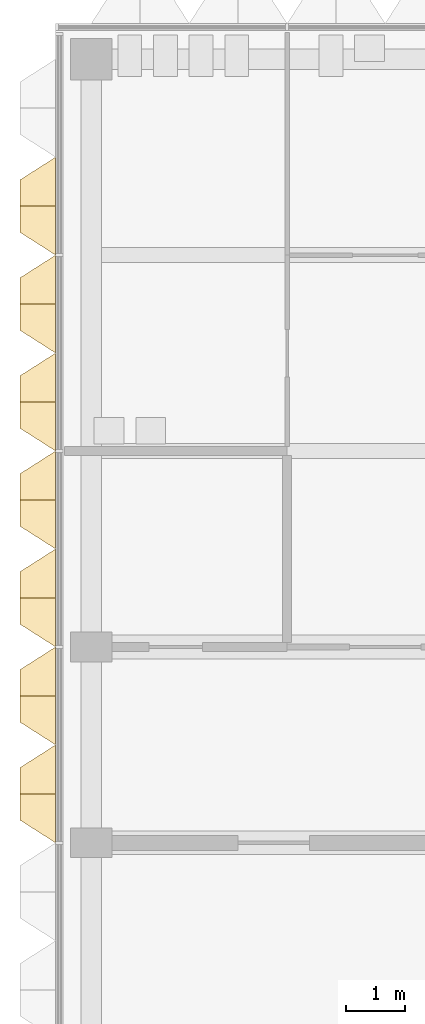
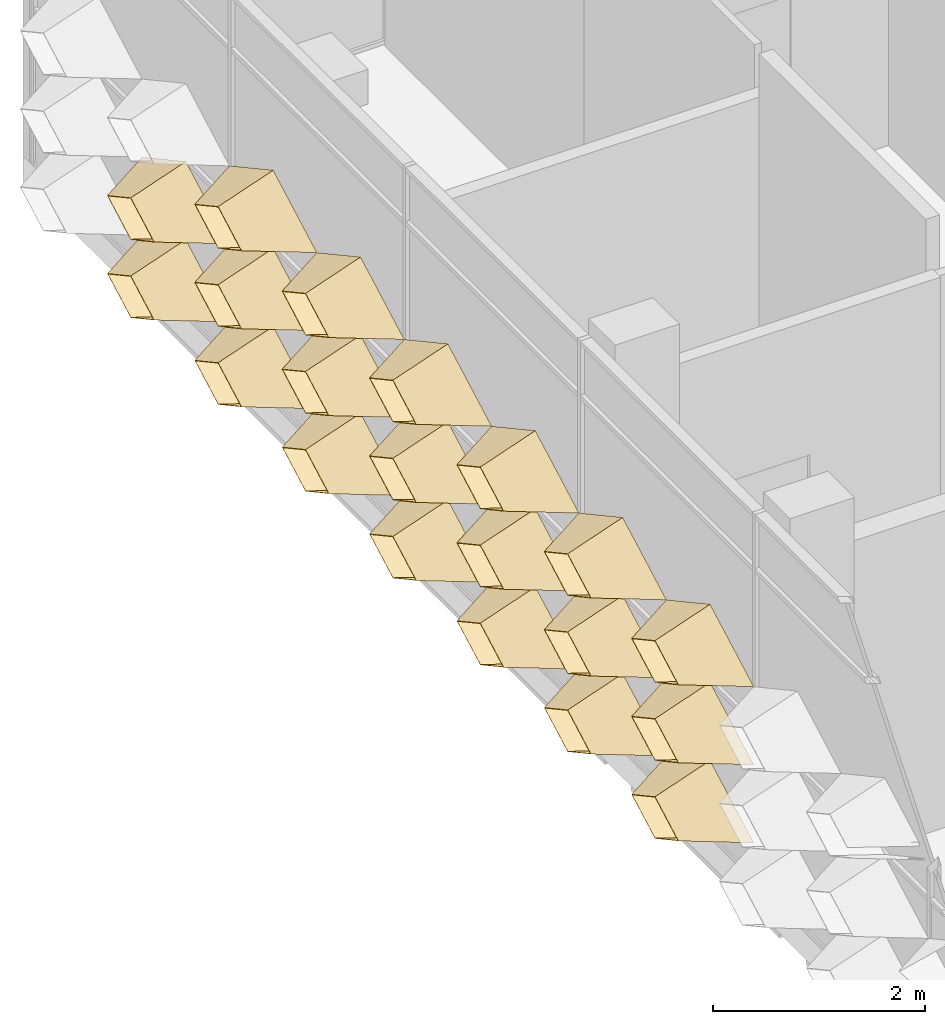
# One storey, part 16 of 21: 20 coverings.
"""IFC4 building model written with IfcOpenShell, lengths in metres."""

from ifc_helpers import new_model, entity, si_unit, direction, frame, origin, place, context, subcontext, project, spatial, material, layer, layer_set, type_object, element, save


model = new_model("IFC4")

# Units and contexts
model_context = context("Model", 3, precision=1e-05, world=origin(), true_north=direction((0.0, 1.0)))
body_context = subcontext(model_context, "Body", "Model", "MODEL_VIEW")
ifc_project = project(units=[si_unit("LENGTHUNIT", "METRE"), si_unit("AREAUNIT", "SQUARE_METRE"), si_unit("VOLUMEUNIT", "CUBIC_METRE"), si_unit("PLANEANGLEUNIT", "RADIAN"), si_unit("MASSUNIT", "GRAM", prefix="KILO")], contexts=[model_context])

# Site, building, storey
site_placement = place(None, origin())
site = spatial("IfcSite", under=ifc_project, at=site_placement, CompositionType="ELEMENT")
building_placement = place(site_placement, origin())
building = spatial("IfcBuilding", under=site, at=building_placement, Name="Lantern Court Research Institute", CompositionType="ELEMENT")
storey_placement = place(building_placement, frame((0.0, 0.0, 41.39990234375)))
storey = spatial("IfcBuildingStorey", under=building, at=storey_placement, Name="L09", CompositionType="ELEMENT", Elevation=41.39990234375)

# Coverings
ifc_material = material(Name="Anodised aluminium", Category="aluminium")
ifc_layer = layer(ifc_material, 0.01611328125)
ifc_layer_set = layer_set([ifc_layer], Name="Anodised aluminium")
covering_type = type_object("IfcCoveringType", Name="Fin cassette 1650 x 900 x 600 aluminium", PredefinedType="CLADDING", material=ifc_layer_set)
covering_1_placement = place(storey_placement, frame((52.199951171875, 10.72509765625, 0.4501953125), z_axis=(-1.0, 0.0, 0.0), x_axis=(0.0, -1.0, 0.0)))
cartesian_point_1 = entity("IfcCartesianPoint", [0.824951171875, 0.0])
cartesian_point_2 = entity("IfcCartesianPoint", [0.79150390625, 0.0])
cartesian_point_3 = entity("IfcCartesianPoint", [0.44189453125, 0.0])
cartesian_point_4 = entity("IfcCartesianPoint", [0.43359375, 0.0])
element("IfcCovering", 1, at=covering_1_placement, inside=storey, type_object=covering_type, Name="Fin cassette V5W-L09 1.7", PredefinedType="CLADDING", context=body_context, shape_type="SweptSolid", body=[
    entity("IfcExtrudedAreaSolidTapered", entity("IfcArbitraryProfileDefWithVoids", "AREA", None, entity("IfcPolyline", [cartesian_point_1, entity("IfcCartesianPoint", [0.0, 0.449951171875]), entity("IfcCartesianPoint", [-0.824951171875, 0.0]), entity("IfcCartesianPoint", [0.0, -0.449951171875]), cartesian_point_1]), [entity("IfcPolyline", [cartesian_point_2, entity("IfcCartesianPoint", [0.0, 0.431884765625]), entity("IfcCartesianPoint", [-0.79150390625, 0.0]), entity("IfcCartesianPoint", [0.0, -0.431884765625]), cartesian_point_2])]), entity("IfcAxis2Placement3D", entity("IfcCartesianPoint", [0.0, 0.0, 0.0])), entity("IfcDirection", [0.0, 0.0, 1.0]), 0.60009765625, entity("IfcArbitraryProfileDefWithVoids", "AREA", None, entity("IfcPolyline", [cartesian_point_3, entity("IfcCartesianPoint", [0.0, 0.240966796875]), entity("IfcCartesianPoint", [-0.44189453125, 0.0]), entity("IfcCartesianPoint", [0.0, -0.240966796875]), cartesian_point_3]), [entity("IfcPolyline", [cartesian_point_4, entity("IfcCartesianPoint", [0.0, 0.236572265625]), entity("IfcCartesianPoint", [-0.43359375, 0.0]), entity("IfcCartesianPoint", [0.0, -0.236572265625]), cartesian_point_4])])),
])
covering_2_placement = place(storey_placement, frame((52.199951171875, 12.375, 0.4501953125), z_axis=(-1.0, 0.0, 0.0), x_axis=(0.0, -1.0, 0.0)))
cartesian_point_5 = entity("IfcCartesianPoint", [0.824951171875, 0.0])
cartesian_point_6 = entity("IfcCartesianPoint", [0.79150390625, 0.0])
cartesian_point_7 = entity("IfcCartesianPoint", [0.44189453125, 0.0])
cartesian_point_8 = entity("IfcCartesianPoint", [0.43359375, 0.0])
element("IfcCovering", 2, at=covering_2_placement, inside=storey, type_object=covering_type, Name="Fin cassette V5W-L09 1.8", PredefinedType="CLADDING", context=body_context, shape_type="SweptSolid", body=[
    entity("IfcExtrudedAreaSolidTapered", entity("IfcArbitraryProfileDefWithVoids", "AREA", None, entity("IfcPolyline", [cartesian_point_5, entity("IfcCartesianPoint", [0.0, 0.449951171875]), entity("IfcCartesianPoint", [-0.824951171875, 0.0]), entity("IfcCartesianPoint", [0.0, -0.449951171875]), cartesian_point_5]), [entity("IfcPolyline", [cartesian_point_6, entity("IfcCartesianPoint", [0.0, 0.431884765625]), entity("IfcCartesianPoint", [-0.79150390625, 0.0]), entity("IfcCartesianPoint", [0.0, -0.431884765625]), cartesian_point_6])]), entity("IfcAxis2Placement3D", entity("IfcCartesianPoint", [0.0, 0.0, 0.0])), entity("IfcDirection", [0.0, 0.0, 1.0]), 0.60009765625, entity("IfcArbitraryProfileDefWithVoids", "AREA", None, entity("IfcPolyline", [cartesian_point_7, entity("IfcCartesianPoint", [0.0, 0.240966796875]), entity("IfcCartesianPoint", [-0.44189453125, 0.0]), entity("IfcCartesianPoint", [0.0, -0.240966796875]), cartesian_point_7]), [entity("IfcPolyline", [cartesian_point_8, entity("IfcCartesianPoint", [0.0, 0.236572265625]), entity("IfcCartesianPoint", [-0.43359375, 0.0]), entity("IfcCartesianPoint", [0.0, -0.236572265625]), cartesian_point_8])])),
])
covering_3_placement = place(storey_placement, frame((52.199951171875, 14.02490234375, 0.4501953125), z_axis=(-1.0, 0.0, 0.0), x_axis=(0.0, -1.0, 0.0)))
cartesian_point_9 = entity("IfcCartesianPoint", [0.824951171875, 0.0])
cartesian_point_10 = entity("IfcCartesianPoint", [0.79150390625, 0.0])
cartesian_point_11 = entity("IfcCartesianPoint", [0.44189453125, 0.0])
cartesian_point_12 = entity("IfcCartesianPoint", [0.43359375, 0.0])
element("IfcCovering", 3, at=covering_3_placement, inside=storey, type_object=covering_type, Name="Fin cassette V5W-L09 1.9", PredefinedType="CLADDING", context=body_context, shape_type="SweptSolid", body=[
    entity("IfcExtrudedAreaSolidTapered", entity("IfcArbitraryProfileDefWithVoids", "AREA", None, entity("IfcPolyline", [cartesian_point_9, entity("IfcCartesianPoint", [0.0, 0.449951171875]), entity("IfcCartesianPoint", [-0.824951171875, 0.0]), entity("IfcCartesianPoint", [0.0, -0.449951171875]), cartesian_point_9]), [entity("IfcPolyline", [cartesian_point_10, entity("IfcCartesianPoint", [0.0, 0.431884765625]), entity("IfcCartesianPoint", [-0.79150390625, 0.0]), entity("IfcCartesianPoint", [0.0, -0.431884765625]), cartesian_point_10])]), entity("IfcAxis2Placement3D", entity("IfcCartesianPoint", [0.0, 0.0, 0.0])), entity("IfcDirection", [0.0, 0.0, 1.0]), 0.60009765625, entity("IfcArbitraryProfileDefWithVoids", "AREA", None, entity("IfcPolyline", [cartesian_point_11, entity("IfcCartesianPoint", [0.0, 0.240966796875]), entity("IfcCartesianPoint", [-0.44189453125, 0.0]), entity("IfcCartesianPoint", [0.0, -0.240966796875]), cartesian_point_11]), [entity("IfcPolyline", [cartesian_point_12, entity("IfcCartesianPoint", [0.0, 0.236572265625]), entity("IfcCartesianPoint", [-0.43359375, 0.0]), entity("IfcCartesianPoint", [0.0, -0.236572265625]), cartesian_point_12])])),
])
covering_4_placement = place(storey_placement, frame((52.199951171875, 15.675048828125, 0.4501953125), z_axis=(-1.0, 0.0, 0.0), x_axis=(0.0, -1.0, 0.0)))
cartesian_point_13 = entity("IfcCartesianPoint", [0.824951171875, 0.0])
cartesian_point_14 = entity("IfcCartesianPoint", [0.79150390625, 0.0])
cartesian_point_15 = entity("IfcCartesianPoint", [0.44189453125, 0.0])
cartesian_point_16 = entity("IfcCartesianPoint", [0.43359375, 0.0])
element("IfcCovering", 4, at=covering_4_placement, inside=storey, type_object=covering_type, Name="Fin cassette V5W-L09 1.10", PredefinedType="CLADDING", context=body_context, shape_type="SweptSolid", body=[
    entity("IfcExtrudedAreaSolidTapered", entity("IfcArbitraryProfileDefWithVoids", "AREA", None, entity("IfcPolyline", [cartesian_point_13, entity("IfcCartesianPoint", [0.0, 0.449951171875]), entity("IfcCartesianPoint", [-0.824951171875, 0.0]), entity("IfcCartesianPoint", [0.0, -0.449951171875]), cartesian_point_13]), [entity("IfcPolyline", [cartesian_point_14, entity("IfcCartesianPoint", [0.0, 0.431884765625]), entity("IfcCartesianPoint", [-0.79150390625, 0.0]), entity("IfcCartesianPoint", [0.0, -0.431884765625]), cartesian_point_14])]), entity("IfcAxis2Placement3D", entity("IfcCartesianPoint", [0.0, 0.0, 0.0])), entity("IfcDirection", [0.0, 0.0, 1.0]), 0.60009765625, entity("IfcArbitraryProfileDefWithVoids", "AREA", None, entity("IfcPolyline", [cartesian_point_15, entity("IfcCartesianPoint", [0.0, 0.240966796875]), entity("IfcCartesianPoint", [-0.44189453125, 0.0]), entity("IfcCartesianPoint", [0.0, -0.240966796875]), cartesian_point_15]), [entity("IfcPolyline", [cartesian_point_16, entity("IfcCartesianPoint", [0.0, 0.236572265625]), entity("IfcCartesianPoint", [-0.43359375, 0.0]), entity("IfcCartesianPoint", [0.0, -0.236572265625]), cartesian_point_16])])),
])
covering_5_placement = place(storey_placement, frame((52.199951171875, 17.324951171875, 0.4501953125), z_axis=(-1.0, 0.0, 0.0), x_axis=(0.0, -1.0, 0.0)))
cartesian_point_17 = entity("IfcCartesianPoint", [0.824951171875, 0.0])
cartesian_point_18 = entity("IfcCartesianPoint", [0.79150390625, 0.0])
cartesian_point_19 = entity("IfcCartesianPoint", [0.44189453125, 0.0])
cartesian_point_20 = entity("IfcCartesianPoint", [0.43359375, 0.0])
element("IfcCovering", 5, at=covering_5_placement, inside=storey, type_object=covering_type, Name="Fin cassette V5W-L09 1.11", PredefinedType="CLADDING", context=body_context, shape_type="SweptSolid", body=[
    entity("IfcExtrudedAreaSolidTapered", entity("IfcArbitraryProfileDefWithVoids", "AREA", None, entity("IfcPolyline", [cartesian_point_17, entity("IfcCartesianPoint", [0.0, 0.449951171875]), entity("IfcCartesianPoint", [-0.824951171875, 0.0]), entity("IfcCartesianPoint", [0.0, -0.449951171875]), cartesian_point_17]), [entity("IfcPolyline", [cartesian_point_18, entity("IfcCartesianPoint", [0.0, 0.431884765625]), entity("IfcCartesianPoint", [-0.79150390625, 0.0]), entity("IfcCartesianPoint", [0.0, -0.431884765625]), cartesian_point_18])]), entity("IfcAxis2Placement3D", entity("IfcCartesianPoint", [0.0, 0.0, 0.0])), entity("IfcDirection", [0.0, 0.0, 1.0]), 0.60009765625, entity("IfcArbitraryProfileDefWithVoids", "AREA", None, entity("IfcPolyline", [cartesian_point_19, entity("IfcCartesianPoint", [0.0, 0.240966796875]), entity("IfcCartesianPoint", [-0.44189453125, 0.0]), entity("IfcCartesianPoint", [0.0, -0.240966796875]), cartesian_point_19]), [entity("IfcPolyline", [cartesian_point_20, entity("IfcCartesianPoint", [0.0, 0.236572265625]), entity("IfcCartesianPoint", [-0.43359375, 0.0]), entity("IfcCartesianPoint", [0.0, -0.236572265625]), cartesian_point_20])])),
])
covering_6_placement = place(storey_placement, frame((52.199951171875, 18.97509765625, 0.4501953125), z_axis=(-1.0, 0.0, 0.0), x_axis=(0.0, -1.0, 0.0)))
cartesian_point_21 = entity("IfcCartesianPoint", [0.824951171875, 0.0])
cartesian_point_22 = entity("IfcCartesianPoint", [0.79150390625, 0.0])
cartesian_point_23 = entity("IfcCartesianPoint", [0.44189453125, 0.0])
cartesian_point_24 = entity("IfcCartesianPoint", [0.43359375, 0.0])
element("IfcCovering", 6, at=covering_6_placement, inside=storey, type_object=covering_type, Name="Fin cassette V5W-L09 1.12", PredefinedType="CLADDING", context=body_context, shape_type="SweptSolid", body=[
    entity("IfcExtrudedAreaSolidTapered", entity("IfcArbitraryProfileDefWithVoids", "AREA", None, entity("IfcPolyline", [cartesian_point_21, entity("IfcCartesianPoint", [0.0, 0.449951171875]), entity("IfcCartesianPoint", [-0.824951171875, 0.0]), entity("IfcCartesianPoint", [0.0, -0.449951171875]), cartesian_point_21]), [entity("IfcPolyline", [cartesian_point_22, entity("IfcCartesianPoint", [0.0, 0.431884765625]), entity("IfcCartesianPoint", [-0.79150390625, 0.0]), entity("IfcCartesianPoint", [0.0, -0.431884765625]), cartesian_point_22])]), entity("IfcAxis2Placement3D", entity("IfcCartesianPoint", [0.0, 0.0, 0.0])), entity("IfcDirection", [0.0, 0.0, 1.0]), 0.60009765625, entity("IfcArbitraryProfileDefWithVoids", "AREA", None, entity("IfcPolyline", [cartesian_point_23, entity("IfcCartesianPoint", [0.0, 0.240966796875]), entity("IfcCartesianPoint", [-0.44189453125, 0.0]), entity("IfcCartesianPoint", [0.0, -0.240966796875]), cartesian_point_23]), [entity("IfcPolyline", [cartesian_point_24, entity("IfcCartesianPoint", [0.0, 0.236572265625]), entity("IfcCartesianPoint", [-0.43359375, 0.0]), entity("IfcCartesianPoint", [0.0, -0.236572265625]), cartesian_point_24])])),
])
covering_7_placement = place(storey_placement, frame((52.199951171875, 20.625, 0.4501953125), z_axis=(-1.0, 0.0, 0.0), x_axis=(0.0, -1.0, 0.0)))
cartesian_point_25 = entity("IfcCartesianPoint", [0.824951171875, 0.0])
cartesian_point_26 = entity("IfcCartesianPoint", [0.79150390625, 0.0])
cartesian_point_27 = entity("IfcCartesianPoint", [0.44189453125, 0.0])
cartesian_point_28 = entity("IfcCartesianPoint", [0.43359375, 0.0])
element("IfcCovering", 7, at=covering_7_placement, inside=storey, type_object=covering_type, Name="Fin cassette V5W-L09 1.13", PredefinedType="CLADDING", context=body_context, shape_type="SweptSolid", body=[
    entity("IfcExtrudedAreaSolidTapered", entity("IfcArbitraryProfileDefWithVoids", "AREA", None, entity("IfcPolyline", [cartesian_point_25, entity("IfcCartesianPoint", [0.0, 0.449951171875]), entity("IfcCartesianPoint", [-0.824951171875, 0.0]), entity("IfcCartesianPoint", [0.0, -0.449951171875]), cartesian_point_25]), [entity("IfcPolyline", [cartesian_point_26, entity("IfcCartesianPoint", [0.0, 0.431884765625]), entity("IfcCartesianPoint", [-0.79150390625, 0.0]), entity("IfcCartesianPoint", [0.0, -0.431884765625]), cartesian_point_26])]), entity("IfcAxis2Placement3D", entity("IfcCartesianPoint", [0.0, 0.0, 0.0])), entity("IfcDirection", [0.0, 0.0, 1.0]), 0.60009765625, entity("IfcArbitraryProfileDefWithVoids", "AREA", None, entity("IfcPolyline", [cartesian_point_27, entity("IfcCartesianPoint", [0.0, 0.240966796875]), entity("IfcCartesianPoint", [-0.44189453125, 0.0]), entity("IfcCartesianPoint", [0.0, -0.240966796875]), cartesian_point_27]), [entity("IfcPolyline", [cartesian_point_28, entity("IfcCartesianPoint", [0.0, 0.236572265625]), entity("IfcCartesianPoint", [-0.43359375, 0.0]), entity("IfcCartesianPoint", [0.0, -0.236572265625]), cartesian_point_28])])),
])
covering_8_placement = place(storey_placement, frame((52.199951171875, 10.72509765625, 1.35009765625), z_axis=(-1.0, 0.0, 0.0), x_axis=(0.0, -1.0, 0.0)))
cartesian_point_29 = entity("IfcCartesianPoint", [0.824951171875, 0.0])
cartesian_point_30 = entity("IfcCartesianPoint", [0.79150390625, 0.0])
cartesian_point_31 = entity("IfcCartesianPoint", [0.44189453125, 0.0])
cartesian_point_32 = entity("IfcCartesianPoint", [0.43359375, 0.0])
element("IfcCovering", 8, at=covering_8_placement, inside=storey, type_object=covering_type, Name="Fin cassette V5W-L09 2.7", PredefinedType="CLADDING", context=body_context, shape_type="SweptSolid", body=[
    entity("IfcExtrudedAreaSolidTapered", entity("IfcArbitraryProfileDefWithVoids", "AREA", None, entity("IfcPolyline", [cartesian_point_29, entity("IfcCartesianPoint", [0.0, 0.449951171875]), entity("IfcCartesianPoint", [-0.824951171875, 0.0]), entity("IfcCartesianPoint", [0.0, -0.449951171875]), cartesian_point_29]), [entity("IfcPolyline", [cartesian_point_30, entity("IfcCartesianPoint", [0.0, 0.431884765625]), entity("IfcCartesianPoint", [-0.79150390625, 0.0]), entity("IfcCartesianPoint", [0.0, -0.431884765625]), cartesian_point_30])]), entity("IfcAxis2Placement3D", entity("IfcCartesianPoint", [0.0, 0.0, 0.0])), entity("IfcDirection", [0.0, 0.0, 1.0]), 0.60009765625, entity("IfcArbitraryProfileDefWithVoids", "AREA", None, entity("IfcPolyline", [cartesian_point_31, entity("IfcCartesianPoint", [0.0, 0.240966796875]), entity("IfcCartesianPoint", [-0.44189453125, 0.0]), entity("IfcCartesianPoint", [0.0, -0.240966796875]), cartesian_point_31]), [entity("IfcPolyline", [cartesian_point_32, entity("IfcCartesianPoint", [0.0, 0.236572265625]), entity("IfcCartesianPoint", [-0.43359375, 0.0]), entity("IfcCartesianPoint", [0.0, -0.236572265625]), cartesian_point_32])])),
])
covering_9_placement = place(storey_placement, frame((52.199951171875, 12.375, 1.35009765625), z_axis=(-1.0, 0.0, 0.0), x_axis=(0.0, -1.0, 0.0)))
cartesian_point_33 = entity("IfcCartesianPoint", [0.824951171875, 0.0])
cartesian_point_34 = entity("IfcCartesianPoint", [0.79150390625, 0.0])
cartesian_point_35 = entity("IfcCartesianPoint", [0.44189453125, 0.0])
cartesian_point_36 = entity("IfcCartesianPoint", [0.43359375, 0.0])
element("IfcCovering", 9, at=covering_9_placement, inside=storey, type_object=covering_type, Name="Fin cassette V5W-L09 2.8", PredefinedType="CLADDING", context=body_context, shape_type="SweptSolid", body=[
    entity("IfcExtrudedAreaSolidTapered", entity("IfcArbitraryProfileDefWithVoids", "AREA", None, entity("IfcPolyline", [cartesian_point_33, entity("IfcCartesianPoint", [0.0, 0.449951171875]), entity("IfcCartesianPoint", [-0.824951171875, 0.0]), entity("IfcCartesianPoint", [0.0, -0.449951171875]), cartesian_point_33]), [entity("IfcPolyline", [cartesian_point_34, entity("IfcCartesianPoint", [0.0, 0.431884765625]), entity("IfcCartesianPoint", [-0.79150390625, 0.0]), entity("IfcCartesianPoint", [0.0, -0.431884765625]), cartesian_point_34])]), entity("IfcAxis2Placement3D", entity("IfcCartesianPoint", [0.0, 0.0, 0.0])), entity("IfcDirection", [0.0, 0.0, 1.0]), 0.60009765625, entity("IfcArbitraryProfileDefWithVoids", "AREA", None, entity("IfcPolyline", [cartesian_point_35, entity("IfcCartesianPoint", [0.0, 0.240966796875]), entity("IfcCartesianPoint", [-0.44189453125, 0.0]), entity("IfcCartesianPoint", [0.0, -0.240966796875]), cartesian_point_35]), [entity("IfcPolyline", [cartesian_point_36, entity("IfcCartesianPoint", [0.0, 0.236572265625]), entity("IfcCartesianPoint", [-0.43359375, 0.0]), entity("IfcCartesianPoint", [0.0, -0.236572265625]), cartesian_point_36])])),
])
covering_10_placement = place(storey_placement, frame((52.199951171875, 14.02490234375, 1.35009765625), z_axis=(-1.0, 0.0, 0.0), x_axis=(0.0, -1.0, 0.0)))
cartesian_point_37 = entity("IfcCartesianPoint", [0.824951171875, 0.0])
cartesian_point_38 = entity("IfcCartesianPoint", [0.79150390625, 0.0])
cartesian_point_39 = entity("IfcCartesianPoint", [0.44189453125, 0.0])
cartesian_point_40 = entity("IfcCartesianPoint", [0.43359375, 0.0])
element("IfcCovering", 10, at=covering_10_placement, inside=storey, type_object=covering_type, Name="Fin cassette V5W-L09 2.9", PredefinedType="CLADDING", context=body_context, shape_type="SweptSolid", body=[
    entity("IfcExtrudedAreaSolidTapered", entity("IfcArbitraryProfileDefWithVoids", "AREA", None, entity("IfcPolyline", [cartesian_point_37, entity("IfcCartesianPoint", [0.0, 0.449951171875]), entity("IfcCartesianPoint", [-0.824951171875, 0.0]), entity("IfcCartesianPoint", [0.0, -0.449951171875]), cartesian_point_37]), [entity("IfcPolyline", [cartesian_point_38, entity("IfcCartesianPoint", [0.0, 0.431884765625]), entity("IfcCartesianPoint", [-0.79150390625, 0.0]), entity("IfcCartesianPoint", [0.0, -0.431884765625]), cartesian_point_38])]), entity("IfcAxis2Placement3D", entity("IfcCartesianPoint", [0.0, 0.0, 0.0])), entity("IfcDirection", [0.0, 0.0, 1.0]), 0.60009765625, entity("IfcArbitraryProfileDefWithVoids", "AREA", None, entity("IfcPolyline", [cartesian_point_39, entity("IfcCartesianPoint", [0.0, 0.240966796875]), entity("IfcCartesianPoint", [-0.44189453125, 0.0]), entity("IfcCartesianPoint", [0.0, -0.240966796875]), cartesian_point_39]), [entity("IfcPolyline", [cartesian_point_40, entity("IfcCartesianPoint", [0.0, 0.236572265625]), entity("IfcCartesianPoint", [-0.43359375, 0.0]), entity("IfcCartesianPoint", [0.0, -0.236572265625]), cartesian_point_40])])),
])
covering_11_placement = place(storey_placement, frame((52.199951171875, 15.675048828125, 1.35009765625), z_axis=(-1.0, 0.0, 0.0), x_axis=(0.0, -1.0, 0.0)))
cartesian_point_41 = entity("IfcCartesianPoint", [0.824951171875, 0.0])
cartesian_point_42 = entity("IfcCartesianPoint", [0.79150390625, 0.0])
cartesian_point_43 = entity("IfcCartesianPoint", [0.44189453125, 0.0])
cartesian_point_44 = entity("IfcCartesianPoint", [0.43359375, 0.0])
element("IfcCovering", 11, at=covering_11_placement, inside=storey, type_object=covering_type, Name="Fin cassette V5W-L09 2.10", PredefinedType="CLADDING", context=body_context, shape_type="SweptSolid", body=[
    entity("IfcExtrudedAreaSolidTapered", entity("IfcArbitraryProfileDefWithVoids", "AREA", None, entity("IfcPolyline", [cartesian_point_41, entity("IfcCartesianPoint", [0.0, 0.449951171875]), entity("IfcCartesianPoint", [-0.824951171875, 0.0]), entity("IfcCartesianPoint", [0.0, -0.449951171875]), cartesian_point_41]), [entity("IfcPolyline", [cartesian_point_42, entity("IfcCartesianPoint", [0.0, 0.431884765625]), entity("IfcCartesianPoint", [-0.79150390625, 0.0]), entity("IfcCartesianPoint", [0.0, -0.431884765625]), cartesian_point_42])]), entity("IfcAxis2Placement3D", entity("IfcCartesianPoint", [0.0, 0.0, 0.0])), entity("IfcDirection", [0.0, 0.0, 1.0]), 0.60009765625, entity("IfcArbitraryProfileDefWithVoids", "AREA", None, entity("IfcPolyline", [cartesian_point_43, entity("IfcCartesianPoint", [0.0, 0.240966796875]), entity("IfcCartesianPoint", [-0.44189453125, 0.0]), entity("IfcCartesianPoint", [0.0, -0.240966796875]), cartesian_point_43]), [entity("IfcPolyline", [cartesian_point_44, entity("IfcCartesianPoint", [0.0, 0.236572265625]), entity("IfcCartesianPoint", [-0.43359375, 0.0]), entity("IfcCartesianPoint", [0.0, -0.236572265625]), cartesian_point_44])])),
])
covering_12_placement = place(storey_placement, frame((52.199951171875, 17.324951171875, 1.35009765625), z_axis=(-1.0, 0.0, 0.0), x_axis=(0.0, -1.0, 0.0)))
cartesian_point_45 = entity("IfcCartesianPoint", [0.824951171875, 0.0])
cartesian_point_46 = entity("IfcCartesianPoint", [0.79150390625, 0.0])
cartesian_point_47 = entity("IfcCartesianPoint", [0.44189453125, 0.0])
cartesian_point_48 = entity("IfcCartesianPoint", [0.43359375, 0.0])
element("IfcCovering", 12, at=covering_12_placement, inside=storey, type_object=covering_type, Name="Fin cassette V5W-L09 2.11", PredefinedType="CLADDING", context=body_context, shape_type="SweptSolid", body=[
    entity("IfcExtrudedAreaSolidTapered", entity("IfcArbitraryProfileDefWithVoids", "AREA", None, entity("IfcPolyline", [cartesian_point_45, entity("IfcCartesianPoint", [0.0, 0.449951171875]), entity("IfcCartesianPoint", [-0.824951171875, 0.0]), entity("IfcCartesianPoint", [0.0, -0.449951171875]), cartesian_point_45]), [entity("IfcPolyline", [cartesian_point_46, entity("IfcCartesianPoint", [0.0, 0.431884765625]), entity("IfcCartesianPoint", [-0.79150390625, 0.0]), entity("IfcCartesianPoint", [0.0, -0.431884765625]), cartesian_point_46])]), entity("IfcAxis2Placement3D", entity("IfcCartesianPoint", [0.0, 0.0, 0.0])), entity("IfcDirection", [0.0, 0.0, 1.0]), 0.60009765625, entity("IfcArbitraryProfileDefWithVoids", "AREA", None, entity("IfcPolyline", [cartesian_point_47, entity("IfcCartesianPoint", [0.0, 0.240966796875]), entity("IfcCartesianPoint", [-0.44189453125, 0.0]), entity("IfcCartesianPoint", [0.0, -0.240966796875]), cartesian_point_47]), [entity("IfcPolyline", [cartesian_point_48, entity("IfcCartesianPoint", [0.0, 0.236572265625]), entity("IfcCartesianPoint", [-0.43359375, 0.0]), entity("IfcCartesianPoint", [0.0, -0.236572265625]), cartesian_point_48])])),
])
covering_13_placement = place(storey_placement, frame((52.199951171875, 18.97509765625, 1.35009765625), z_axis=(-1.0, 0.0, 0.0), x_axis=(0.0, -1.0, 0.0)))
cartesian_point_49 = entity("IfcCartesianPoint", [0.824951171875, 0.0])
cartesian_point_50 = entity("IfcCartesianPoint", [0.79150390625, 0.0])
cartesian_point_51 = entity("IfcCartesianPoint", [0.44189453125, 0.0])
cartesian_point_52 = entity("IfcCartesianPoint", [0.43359375, 0.0])
element("IfcCovering", 13, at=covering_13_placement, inside=storey, type_object=covering_type, Name="Fin cassette V5W-L09 2.12", PredefinedType="CLADDING", context=body_context, shape_type="SweptSolid", body=[
    entity("IfcExtrudedAreaSolidTapered", entity("IfcArbitraryProfileDefWithVoids", "AREA", None, entity("IfcPolyline", [cartesian_point_49, entity("IfcCartesianPoint", [0.0, 0.449951171875]), entity("IfcCartesianPoint", [-0.824951171875, 0.0]), entity("IfcCartesianPoint", [0.0, -0.449951171875]), cartesian_point_49]), [entity("IfcPolyline", [cartesian_point_50, entity("IfcCartesianPoint", [0.0, 0.431884765625]), entity("IfcCartesianPoint", [-0.79150390625, 0.0]), entity("IfcCartesianPoint", [0.0, -0.431884765625]), cartesian_point_50])]), entity("IfcAxis2Placement3D", entity("IfcCartesianPoint", [0.0, 0.0, 0.0])), entity("IfcDirection", [0.0, 0.0, 1.0]), 0.60009765625, entity("IfcArbitraryProfileDefWithVoids", "AREA", None, entity("IfcPolyline", [cartesian_point_51, entity("IfcCartesianPoint", [0.0, 0.240966796875]), entity("IfcCartesianPoint", [-0.44189453125, 0.0]), entity("IfcCartesianPoint", [0.0, -0.240966796875]), cartesian_point_51]), [entity("IfcPolyline", [cartesian_point_52, entity("IfcCartesianPoint", [0.0, 0.236572265625]), entity("IfcCartesianPoint", [-0.43359375, 0.0]), entity("IfcCartesianPoint", [0.0, -0.236572265625]), cartesian_point_52])])),
])
covering_14_placement = place(storey_placement, frame((52.199951171875, 20.625, 1.35009765625), z_axis=(-1.0, 0.0, 0.0), x_axis=(0.0, -1.0, 0.0)))
cartesian_point_53 = entity("IfcCartesianPoint", [0.824951171875, 0.0])
cartesian_point_54 = entity("IfcCartesianPoint", [0.79150390625, 0.0])
cartesian_point_55 = entity("IfcCartesianPoint", [0.44189453125, 0.0])
cartesian_point_56 = entity("IfcCartesianPoint", [0.43359375, 0.0])
element("IfcCovering", 14, at=covering_14_placement, inside=storey, type_object=covering_type, Name="Fin cassette V5W-L09 2.13", PredefinedType="CLADDING", context=body_context, shape_type="SweptSolid", body=[
    entity("IfcExtrudedAreaSolidTapered", entity("IfcArbitraryProfileDefWithVoids", "AREA", None, entity("IfcPolyline", [cartesian_point_53, entity("IfcCartesianPoint", [0.0, 0.449951171875]), entity("IfcCartesianPoint", [-0.824951171875, 0.0]), entity("IfcCartesianPoint", [0.0, -0.449951171875]), cartesian_point_53]), [entity("IfcPolyline", [cartesian_point_54, entity("IfcCartesianPoint", [0.0, 0.431884765625]), entity("IfcCartesianPoint", [-0.79150390625, 0.0]), entity("IfcCartesianPoint", [0.0, -0.431884765625]), cartesian_point_54])]), entity("IfcAxis2Placement3D", entity("IfcCartesianPoint", [0.0, 0.0, 0.0])), entity("IfcDirection", [0.0, 0.0, 1.0]), 0.60009765625, entity("IfcArbitraryProfileDefWithVoids", "AREA", None, entity("IfcPolyline", [cartesian_point_55, entity("IfcCartesianPoint", [0.0, 0.240966796875]), entity("IfcCartesianPoint", [-0.44189453125, 0.0]), entity("IfcCartesianPoint", [0.0, -0.240966796875]), cartesian_point_55]), [entity("IfcPolyline", [cartesian_point_56, entity("IfcCartesianPoint", [0.0, 0.236572265625]), entity("IfcCartesianPoint", [-0.43359375, 0.0]), entity("IfcCartesianPoint", [0.0, -0.236572265625]), cartesian_point_56])])),
])
covering_15_placement = place(storey_placement, frame((52.199951171875, 10.72509765625, 2.25), z_axis=(-1.0, 0.0, 0.0), x_axis=(0.0, -1.0, 0.0)))
cartesian_point_57 = entity("IfcCartesianPoint", [0.824951171875, 0.0])
cartesian_point_58 = entity("IfcCartesianPoint", [0.79150390625, 0.0])
cartesian_point_59 = entity("IfcCartesianPoint", [0.44189453125, 0.0])
cartesian_point_60 = entity("IfcCartesianPoint", [0.43359375, 0.0])
element("IfcCovering", 15, at=covering_15_placement, inside=storey, type_object=covering_type, Name="Fin cassette V5W-L09 3.7", PredefinedType="CLADDING", context=body_context, shape_type="SweptSolid", body=[
    entity("IfcExtrudedAreaSolidTapered", entity("IfcArbitraryProfileDefWithVoids", "AREA", None, entity("IfcPolyline", [cartesian_point_57, entity("IfcCartesianPoint", [0.0, 0.449951171875]), entity("IfcCartesianPoint", [-0.824951171875, 0.0]), entity("IfcCartesianPoint", [0.0, -0.449951171875]), cartesian_point_57]), [entity("IfcPolyline", [cartesian_point_58, entity("IfcCartesianPoint", [0.0, 0.431884765625]), entity("IfcCartesianPoint", [-0.79150390625, 0.0]), entity("IfcCartesianPoint", [0.0, -0.431884765625]), cartesian_point_58])]), entity("IfcAxis2Placement3D", entity("IfcCartesianPoint", [0.0, 0.0, 0.0])), entity("IfcDirection", [0.0, 0.0, 1.0]), 0.60009765625, entity("IfcArbitraryProfileDefWithVoids", "AREA", None, entity("IfcPolyline", [cartesian_point_59, entity("IfcCartesianPoint", [0.0, 0.240966796875]), entity("IfcCartesianPoint", [-0.44189453125, 0.0]), entity("IfcCartesianPoint", [0.0, -0.240966796875]), cartesian_point_59]), [entity("IfcPolyline", [cartesian_point_60, entity("IfcCartesianPoint", [0.0, 0.236572265625]), entity("IfcCartesianPoint", [-0.43359375, 0.0]), entity("IfcCartesianPoint", [0.0, -0.236572265625]), cartesian_point_60])])),
])
covering_16_placement = place(storey_placement, frame((52.199951171875, 12.375, 2.25), z_axis=(-1.0, 0.0, 0.0), x_axis=(0.0, -1.0, 0.0)))
cartesian_point_61 = entity("IfcCartesianPoint", [0.824951171875, 0.0])
cartesian_point_62 = entity("IfcCartesianPoint", [0.79150390625, 0.0])
cartesian_point_63 = entity("IfcCartesianPoint", [0.44189453125, 0.0])
cartesian_point_64 = entity("IfcCartesianPoint", [0.43359375, 0.0])
element("IfcCovering", 16, at=covering_16_placement, inside=storey, type_object=covering_type, Name="Fin cassette V5W-L09 3.8", PredefinedType="CLADDING", context=body_context, shape_type="SweptSolid", body=[
    entity("IfcExtrudedAreaSolidTapered", entity("IfcArbitraryProfileDefWithVoids", "AREA", None, entity("IfcPolyline", [cartesian_point_61, entity("IfcCartesianPoint", [0.0, 0.449951171875]), entity("IfcCartesianPoint", [-0.824951171875, 0.0]), entity("IfcCartesianPoint", [0.0, -0.449951171875]), cartesian_point_61]), [entity("IfcPolyline", [cartesian_point_62, entity("IfcCartesianPoint", [0.0, 0.431884765625]), entity("IfcCartesianPoint", [-0.79150390625, 0.0]), entity("IfcCartesianPoint", [0.0, -0.431884765625]), cartesian_point_62])]), entity("IfcAxis2Placement3D", entity("IfcCartesianPoint", [0.0, 0.0, 0.0])), entity("IfcDirection", [0.0, 0.0, 1.0]), 0.60009765625, entity("IfcArbitraryProfileDefWithVoids", "AREA", None, entity("IfcPolyline", [cartesian_point_63, entity("IfcCartesianPoint", [0.0, 0.240966796875]), entity("IfcCartesianPoint", [-0.44189453125, 0.0]), entity("IfcCartesianPoint", [0.0, -0.240966796875]), cartesian_point_63]), [entity("IfcPolyline", [cartesian_point_64, entity("IfcCartesianPoint", [0.0, 0.236572265625]), entity("IfcCartesianPoint", [-0.43359375, 0.0]), entity("IfcCartesianPoint", [0.0, -0.236572265625]), cartesian_point_64])])),
])
covering_17_placement = place(storey_placement, frame((52.199951171875, 14.02490234375, 2.25), z_axis=(-1.0, 0.0, 0.0), x_axis=(0.0, -1.0, 0.0)))
cartesian_point_65 = entity("IfcCartesianPoint", [0.824951171875, 0.0])
cartesian_point_66 = entity("IfcCartesianPoint", [0.79150390625, 0.0])
cartesian_point_67 = entity("IfcCartesianPoint", [0.44189453125, 0.0])
cartesian_point_68 = entity("IfcCartesianPoint", [0.43359375, 0.0])
element("IfcCovering", 17, at=covering_17_placement, inside=storey, type_object=covering_type, Name="Fin cassette V5W-L09 3.9", PredefinedType="CLADDING", context=body_context, shape_type="SweptSolid", body=[
    entity("IfcExtrudedAreaSolidTapered", entity("IfcArbitraryProfileDefWithVoids", "AREA", None, entity("IfcPolyline", [cartesian_point_65, entity("IfcCartesianPoint", [0.0, 0.449951171875]), entity("IfcCartesianPoint", [-0.824951171875, 0.0]), entity("IfcCartesianPoint", [0.0, -0.449951171875]), cartesian_point_65]), [entity("IfcPolyline", [cartesian_point_66, entity("IfcCartesianPoint", [0.0, 0.431884765625]), entity("IfcCartesianPoint", [-0.79150390625, 0.0]), entity("IfcCartesianPoint", [0.0, -0.431884765625]), cartesian_point_66])]), entity("IfcAxis2Placement3D", entity("IfcCartesianPoint", [0.0, 0.0, 0.0])), entity("IfcDirection", [0.0, 0.0, 1.0]), 0.60009765625, entity("IfcArbitraryProfileDefWithVoids", "AREA", None, entity("IfcPolyline", [cartesian_point_67, entity("IfcCartesianPoint", [0.0, 0.240966796875]), entity("IfcCartesianPoint", [-0.44189453125, 0.0]), entity("IfcCartesianPoint", [0.0, -0.240966796875]), cartesian_point_67]), [entity("IfcPolyline", [cartesian_point_68, entity("IfcCartesianPoint", [0.0, 0.236572265625]), entity("IfcCartesianPoint", [-0.43359375, 0.0]), entity("IfcCartesianPoint", [0.0, -0.236572265625]), cartesian_point_68])])),
])
covering_18_placement = place(storey_placement, frame((52.199951171875, 15.675048828125, 2.25), z_axis=(-1.0, 0.0, 0.0), x_axis=(0.0, -1.0, 0.0)))
cartesian_point_69 = entity("IfcCartesianPoint", [0.824951171875, 0.0])
cartesian_point_70 = entity("IfcCartesianPoint", [0.79150390625, 0.0])
cartesian_point_71 = entity("IfcCartesianPoint", [0.44189453125, 0.0])
cartesian_point_72 = entity("IfcCartesianPoint", [0.43359375, 0.0])
element("IfcCovering", 18, at=covering_18_placement, inside=storey, type_object=covering_type, Name="Fin cassette V5W-L09 3.10", PredefinedType="CLADDING", context=body_context, shape_type="SweptSolid", body=[
    entity("IfcExtrudedAreaSolidTapered", entity("IfcArbitraryProfileDefWithVoids", "AREA", None, entity("IfcPolyline", [cartesian_point_69, entity("IfcCartesianPoint", [0.0, 0.449951171875]), entity("IfcCartesianPoint", [-0.824951171875, 0.0]), entity("IfcCartesianPoint", [0.0, -0.449951171875]), cartesian_point_69]), [entity("IfcPolyline", [cartesian_point_70, entity("IfcCartesianPoint", [0.0, 0.431884765625]), entity("IfcCartesianPoint", [-0.79150390625, 0.0]), entity("IfcCartesianPoint", [0.0, -0.431884765625]), cartesian_point_70])]), entity("IfcAxis2Placement3D", entity("IfcCartesianPoint", [0.0, 0.0, 0.0])), entity("IfcDirection", [0.0, 0.0, 1.0]), 0.60009765625, entity("IfcArbitraryProfileDefWithVoids", "AREA", None, entity("IfcPolyline", [cartesian_point_71, entity("IfcCartesianPoint", [0.0, 0.240966796875]), entity("IfcCartesianPoint", [-0.44189453125, 0.0]), entity("IfcCartesianPoint", [0.0, -0.240966796875]), cartesian_point_71]), [entity("IfcPolyline", [cartesian_point_72, entity("IfcCartesianPoint", [0.0, 0.236572265625]), entity("IfcCartesianPoint", [-0.43359375, 0.0]), entity("IfcCartesianPoint", [0.0, -0.236572265625]), cartesian_point_72])])),
])
covering_19_placement = place(storey_placement, frame((52.199951171875, 17.324951171875, 2.25), z_axis=(-1.0, 0.0, 0.0), x_axis=(0.0, -1.0, 0.0)))
cartesian_point_73 = entity("IfcCartesianPoint", [0.824951171875, 0.0])
cartesian_point_74 = entity("IfcCartesianPoint", [0.79150390625, 0.0])
cartesian_point_75 = entity("IfcCartesianPoint", [0.44189453125, 0.0])
cartesian_point_76 = entity("IfcCartesianPoint", [0.43359375, 0.0])
element("IfcCovering", 19, at=covering_19_placement, inside=storey, type_object=covering_type, Name="Fin cassette V5W-L09 3.11", PredefinedType="CLADDING", context=body_context, shape_type="SweptSolid", body=[
    entity("IfcExtrudedAreaSolidTapered", entity("IfcArbitraryProfileDefWithVoids", "AREA", None, entity("IfcPolyline", [cartesian_point_73, entity("IfcCartesianPoint", [0.0, 0.449951171875]), entity("IfcCartesianPoint", [-0.824951171875, 0.0]), entity("IfcCartesianPoint", [0.0, -0.449951171875]), cartesian_point_73]), [entity("IfcPolyline", [cartesian_point_74, entity("IfcCartesianPoint", [0.0, 0.431884765625]), entity("IfcCartesianPoint", [-0.79150390625, 0.0]), entity("IfcCartesianPoint", [0.0, -0.431884765625]), cartesian_point_74])]), entity("IfcAxis2Placement3D", entity("IfcCartesianPoint", [0.0, 0.0, 0.0])), entity("IfcDirection", [0.0, 0.0, 1.0]), 0.60009765625, entity("IfcArbitraryProfileDefWithVoids", "AREA", None, entity("IfcPolyline", [cartesian_point_75, entity("IfcCartesianPoint", [0.0, 0.240966796875]), entity("IfcCartesianPoint", [-0.44189453125, 0.0]), entity("IfcCartesianPoint", [0.0, -0.240966796875]), cartesian_point_75]), [entity("IfcPolyline", [cartesian_point_76, entity("IfcCartesianPoint", [0.0, 0.236572265625]), entity("IfcCartesianPoint", [-0.43359375, 0.0]), entity("IfcCartesianPoint", [0.0, -0.236572265625]), cartesian_point_76])])),
])
covering_20_placement = place(storey_placement, frame((52.199951171875, 18.97509765625, 2.25), z_axis=(-1.0, 0.0, 0.0), x_axis=(0.0, -1.0, 0.0)))
cartesian_point_77 = entity("IfcCartesianPoint", [0.824951171875, 0.0])
cartesian_point_78 = entity("IfcCartesianPoint", [0.79150390625, 0.0])
cartesian_point_79 = entity("IfcCartesianPoint", [0.44189453125, 0.0])
cartesian_point_80 = entity("IfcCartesianPoint", [0.43359375, 0.0])
element("IfcCovering", 20, at=covering_20_placement, inside=storey, type_object=covering_type, Name="Fin cassette V5W-L09 3.12", PredefinedType="CLADDING", context=body_context, shape_type="SweptSolid", body=[
    entity("IfcExtrudedAreaSolidTapered", entity("IfcArbitraryProfileDefWithVoids", "AREA", None, entity("IfcPolyline", [cartesian_point_77, entity("IfcCartesianPoint", [0.0, 0.449951171875]), entity("IfcCartesianPoint", [-0.824951171875, 0.0]), entity("IfcCartesianPoint", [0.0, -0.449951171875]), cartesian_point_77]), [entity("IfcPolyline", [cartesian_point_78, entity("IfcCartesianPoint", [0.0, 0.431884765625]), entity("IfcCartesianPoint", [-0.79150390625, 0.0]), entity("IfcCartesianPoint", [0.0, -0.431884765625]), cartesian_point_78])]), entity("IfcAxis2Placement3D", entity("IfcCartesianPoint", [0.0, 0.0, 0.0])), entity("IfcDirection", [0.0, 0.0, 1.0]), 0.60009765625, entity("IfcArbitraryProfileDefWithVoids", "AREA", None, entity("IfcPolyline", [cartesian_point_79, entity("IfcCartesianPoint", [0.0, 0.240966796875]), entity("IfcCartesianPoint", [-0.44189453125, 0.0]), entity("IfcCartesianPoint", [0.0, -0.240966796875]), cartesian_point_79]), [entity("IfcPolyline", [cartesian_point_80, entity("IfcCartesianPoint", [0.0, 0.236572265625]), entity("IfcCartesianPoint", [-0.43359375, 0.0]), entity("IfcCartesianPoint", [0.0, -0.236572265625]), cartesian_point_80])])),
])

save(model, "model.ifc")
